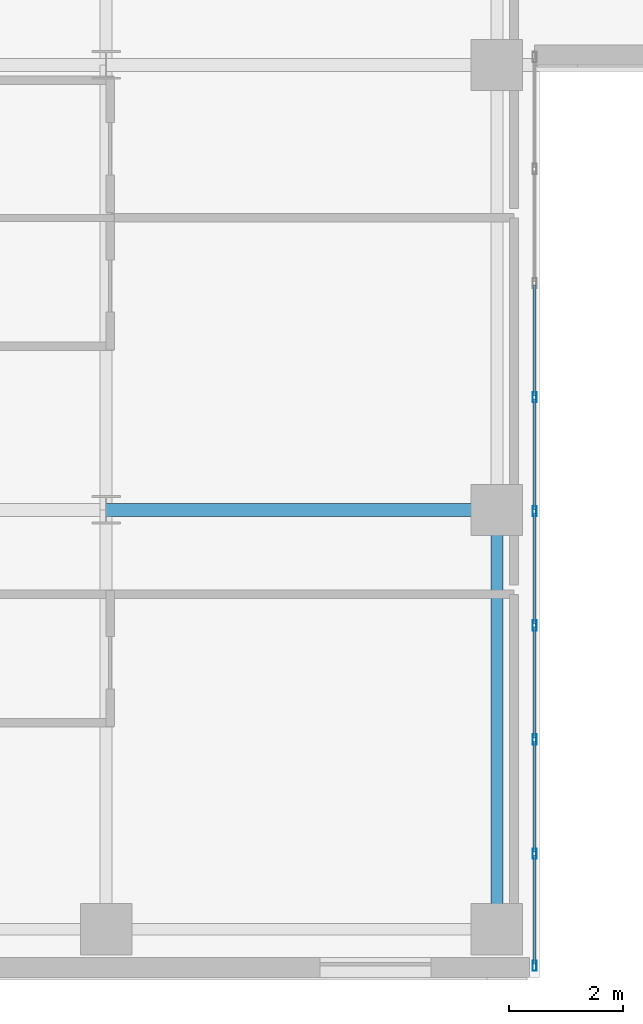
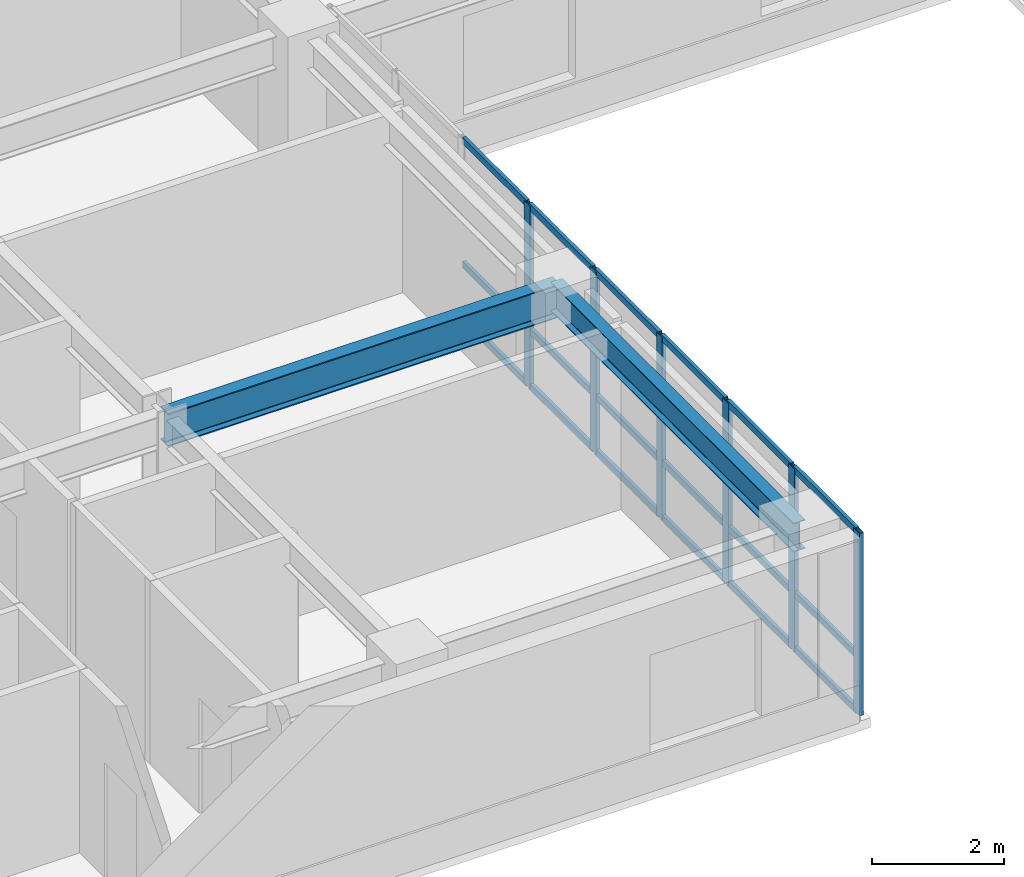
# One storey, part 2 of 25: 24 members, 2 beams, 1 element without a shape of its own.
"""IFC4 building model written with IfcOpenShell, lengths in metres."""

from ifc_helpers import new_model, si_unit, direction, frame, origin, origin_2d, place, context, subcontext, project, spatial, hollow_rectangle, i_section, extrude, source, transform, mapped, material, layer, layer_set, material_profile, profile_set, type_object, type_shapes, element, aggregate, save


model = new_model("IFC4")

# Units and contexts
model_context = context("Model", 3, precision=1e-05, world=origin(), true_north=direction((0.0, 1.0)))
body_context = subcontext(model_context, "Body", "Model", "MODEL_VIEW")
ifc_project = project(units=[si_unit("LENGTHUNIT", "METRE"), si_unit("AREAUNIT", "SQUARE_METRE"), si_unit("VOLUMEUNIT", "CUBIC_METRE"), si_unit("PLANEANGLEUNIT", "RADIAN"), si_unit("MASSUNIT", "GRAM", prefix="KILO")], contexts=[model_context])

# Site, building, storey
site_placement = place(None, origin())
site = spatial("IfcSite", under=ifc_project, at=site_placement, CompositionType="ELEMENT")
building_placement = place(site_placement, origin())
building = spatial("IfcBuilding", under=site, at=building_placement, Name="Tolvann Quenvar Hotel", CompositionType="ELEMENT")
storey_placement = place(building_placement, frame((0.0, 0.0, 132.85009765625)))
storey = spatial("IfcBuildingStorey", under=building, at=storey_placement, Name="L34", CompositionType="ELEMENT", Elevation=132.85009765625)

# Beams
ifc_material_1 = material(Name="Steel Grade 350", Category="steel")
ifc_material_profile_1 = material_profile(ifc_material_1, i_section(OverallWidth=0.22900390625, OverallDepth=0.612060546875, WebThickness=0.011962890625, FlangeThickness=0.01953125, FilletRadius=0.013916015625, at=origin_2d()), Name="610UB125")
ifc_profile_set_1 = profile_set([ifc_material_profile_1], Name="Steel Grade 350")
beam_type_1 = type_object("IfcBeamType", Name="BM_GIRD_610UB125", PredefinedType="BEAM", material=ifc_profile_set_1)
shared_shape_1 = source(origin(), body_context, "Body", "SweptSolid", [
    extrude(i_section(OverallWidth=0.22900390625, OverallDepth=0.612060546875, WebThickness=0.011962890625, FlangeThickness=0.01953125, FilletRadius=0.013916015625, at=origin_2d()), origin(), (0.0, 0.0, 1.0), 6.85009765625),
])
type_shapes(beam_type_1, [shared_shape_1])
beam_1_placement = place(storey_placement, frame((15.199951171875, 8.199951171875, 3.06396484375), z_axis=(1.0, 0.0, 0.0), x_axis=(0.0, 1.0, 0.0)))
element("IfcBeam", 1, at=beam_1_placement, inside=storey, type_object=beam_type_1, Name="BM-L34-EW-3-D3-E3", PredefinedType="BEAM", context=body_context, shape_type="MappedRepresentation", body=[
    mapped(shared_shape_1, transform((0.0, 0.0, 0.0), x_axis=(1.0, 0.0, 0.0), y_axis=(0.0, 1.0, 0.0), z_axis=(0.0, 0.0, 1.0), scale=1.0)),
])
ifc_material_profile_2 = material_profile(ifc_material_1, i_section(OverallWidth=0.208984375, OverallDepth=0.532958984375, WebThickness=0.01025390625, FlangeThickness=0.015625, FilletRadius=0.013916015625, at=origin_2d()), Name="530UB92")
ifc_profile_set_2 = profile_set([ifc_material_profile_2], Name="Steel Grade 350")
beam_type_2 = type_object("IfcBeamType", Name="BM_GIRD_530UB92", PredefinedType="BEAM", material=ifc_profile_set_2)
shared_shape_2 = source(origin(), body_context, "Body", "SweptSolid", [
    extrude(i_section(OverallWidth=0.208984375, OverallDepth=0.532958984375, WebThickness=0.01025390625, FlangeThickness=0.015625, FilletRadius=0.013916015625, at=origin_2d()), origin(), (0.0, 0.0, 1.0), 7.349853515625),
])
type_shapes(beam_type_2, [shared_shape_2])
beam_2_placement = place(storey_placement, frame((22.050048828125, 0.85009765625, 3.103515625), z_axis=(0.0, 1.0, 0.0), x_axis=(-1.0, 0.0, 0.0)))
element("IfcBeam", 2, at=beam_2_placement, inside=storey, type_object=beam_type_2, Name="BM-L34-NS-E2-E3", PredefinedType="BEAM", context=body_context, shape_type="MappedRepresentation", body=[
    mapped(shared_shape_2, transform((0.0, 0.0, 0.0), x_axis=(1.0, 0.0, 0.0), y_axis=(0.0, 1.0, 0.0), z_axis=(0.0, 0.0, 1.0), scale=1.0)),
])

# Curtain wall, members
ifc_material_2 = material(Name="Thermally broken anodised architectural aluminium 6063-T6 and laminated low-E glass", Category="aluminium")
ifc_layer = layer(ifc_material_2, 0.179931640625)
ifc_layer_set = layer_set([ifc_layer], Name="Thermally broken anodised architectural aluminium 6063-T6 and laminated low-E glass")
curtain_wall_type = type_object("IfcCurtainWallType", Name="CW_SYS_SLOT_03", PredefinedType="USERDEFINED", material=ifc_layer_set)
curtain_wall_placement = place(storey_placement, origin())
curtain_wall = element("IfcCurtainWall", 3, at=curtain_wall_placement, inside=storey, type_object=curtain_wall_type, Name="Curtain Wall CW-SLOT-03 (CWR-L34-E05)", ObjectType="UNITISED CURTAIN WALL", PredefinedType="USERDEFINED")
ifc_material_3 = material(Name="Anodised architectural aluminium 6063-T6 framing", Category="aluminium")
ifc_material_profile_3 = material_profile(ifc_material_3, hollow_rectangle(XDim=0.06005859375, YDim=0.1201171875, WallThickness=0.00341796875, at=origin_2d()), Name="120x60x3.5RHS")
ifc_profile_set_3 = profile_set([ifc_material_profile_3], Name="Anodised architectural aluminium 6063-T6 framing")
member_type_1 = type_object("IfcMemberType", Name="CW_TRAN_120x60", PredefinedType="USERDEFINED", material=ifc_profile_set_3)
shared_shape_3 = source(origin(), body_context, "Body", "SweptSolid", [
    extrude(hollow_rectangle(XDim=0.06005859375, YDim=0.1201171875, WallThickness=0.00341796875, at=origin_2d()), origin(), (0.0, 0.0, 1.0), 1.894775390625),
])
member_1_placement = place(storey_placement, frame((22.7099609375, 0.2451171875, 0.02978515625), z_axis=(0.0, 1.0, 0.0), x_axis=(-1.0, 0.0, 0.0)))
member_1 = element("IfcMember", 4, at=member_1_placement, type_object=member_type_1, Name="CW-SLOT-03 transom 1.1", ObjectType="TRANSOM", PredefinedType="USERDEFINED", context=body_context, shape_type="MappedRepresentation", body=[
    mapped(shared_shape_3, transform((0.0, 0.0, 0.0), x_axis=(1.0, 0.0, 0.0), y_axis=(0.0, 1.0, 0.0), z_axis=(0.0, 0.0, 1.0), scale=1.0)),
])
member_2_placement = place(storey_placement, frame((22.7099609375, 0.2451171875, 1.0498046875), z_axis=(0.0, 1.0, 0.0), x_axis=(-1.0, 0.0, 0.0)))
member_2 = element("IfcMember", 5, at=member_2_placement, type_object=member_type_1, Name="CW-SLOT-03 transom 1.2", ObjectType="TRANSOM", PredefinedType="USERDEFINED", context=body_context, shape_type="MappedRepresentation", body=[
    mapped(shared_shape_3, transform((0.0, 0.0, 0.0), x_axis=(1.0, 0.0, 0.0), y_axis=(0.0, 1.0, 0.0), z_axis=(0.0, 0.0, 1.0), scale=1.0)),
])
member_3_placement = place(storey_placement, frame((22.7099609375, 0.2451171875, 3.33984375), z_axis=(0.0, 1.0, 0.0), x_axis=(-1.0, 0.0, 0.0)))
member_3 = element("IfcMember", 6, at=member_3_placement, type_object=member_type_1, Name="CW-SLOT-03 transom 1.3", ObjectType="TRANSOM", PredefinedType="USERDEFINED", context=body_context, shape_type="MappedRepresentation", body=[
    mapped(shared_shape_3, transform((0.0, 0.0, 0.0), x_axis=(1.0, 0.0, 0.0), y_axis=(0.0, 1.0, 0.0), z_axis=(0.0, 0.0, 1.0), scale=1.0)),
])
shared_shape_4 = source(origin(), body_context, "Body", "SweptSolid", [
    extrude(hollow_rectangle(XDim=0.06005859375, YDim=0.1201171875, WallThickness=0.00341796875, at=origin_2d()), origin(), (0.0, 0.0, 1.0), 1.929931640625),
])
type_shapes(member_type_1, [shared_shape_3, shared_shape_4])
member_4_placement = place(storey_placement, frame((22.7099609375, 2.2099609375, 0.02978515625), z_axis=(0.0, 1.0, 0.0), x_axis=(-1.0, 0.0, 0.0)))
member_4 = element("IfcMember", 7, at=member_4_placement, type_object=member_type_1, Name="CW-SLOT-03 transom 2.1", ObjectType="TRANSOM", PredefinedType="USERDEFINED", context=body_context, shape_type="MappedRepresentation", body=[
    mapped(shared_shape_4, transform((0.0, 0.0, 0.0), x_axis=(1.0, 0.0, 0.0), y_axis=(0.0, 1.0, 0.0), z_axis=(0.0, 0.0, 1.0), scale=1.0)),
])
member_5_placement = place(storey_placement, frame((22.7099609375, 2.2099609375, 1.0498046875), z_axis=(0.0, 1.0, 0.0), x_axis=(-1.0, 0.0, 0.0)))
member_5 = element("IfcMember", 8, at=member_5_placement, type_object=member_type_1, Name="CW-SLOT-03 transom 2.2", ObjectType="TRANSOM", PredefinedType="USERDEFINED", context=body_context, shape_type="MappedRepresentation", body=[
    mapped(shared_shape_4, transform((0.0, 0.0, 0.0), x_axis=(1.0, 0.0, 0.0), y_axis=(0.0, 1.0, 0.0), z_axis=(0.0, 0.0, 1.0), scale=1.0)),
])
member_6_placement = place(storey_placement, frame((22.7099609375, 2.2099609375, 3.33984375), z_axis=(0.0, 1.0, 0.0), x_axis=(-1.0, 0.0, 0.0)))
member_6 = element("IfcMember", 9, at=member_6_placement, type_object=member_type_1, Name="CW-SLOT-03 transom 2.3", ObjectType="TRANSOM", PredefinedType="USERDEFINED", context=body_context, shape_type="MappedRepresentation", body=[
    mapped(shared_shape_4, transform((0.0, 0.0, 0.0), x_axis=(1.0, 0.0, 0.0), y_axis=(0.0, 1.0, 0.0), z_axis=(0.0, 0.0, 1.0), scale=1.0)),
])
member_7_placement = place(storey_placement, frame((22.7099609375, 4.2099609375, 0.02978515625), z_axis=(0.0, 1.0, 0.0), x_axis=(-1.0, 0.0, 0.0)))
member_7 = element("IfcMember", 10, at=member_7_placement, type_object=member_type_1, Name="CW-SLOT-03 transom 3.1", ObjectType="TRANSOM", PredefinedType="USERDEFINED", context=body_context, shape_type="MappedRepresentation", body=[
    mapped(shared_shape_4, transform((0.0, 0.0, 0.0), x_axis=(1.0, 0.0, 0.0), y_axis=(0.0, 1.0, 0.0), z_axis=(0.0, 0.0, 1.0), scale=1.0)),
])
member_8_placement = place(storey_placement, frame((22.7099609375, 4.2099609375, 1.0498046875), z_axis=(0.0, 1.0, 0.0), x_axis=(-1.0, 0.0, 0.0)))
member_8 = element("IfcMember", 11, at=member_8_placement, type_object=member_type_1, Name="CW-SLOT-03 transom 3.2", ObjectType="TRANSOM", PredefinedType="USERDEFINED", context=body_context, shape_type="MappedRepresentation", body=[
    mapped(shared_shape_4, transform((0.0, 0.0, 0.0), x_axis=(1.0, 0.0, 0.0), y_axis=(0.0, 1.0, 0.0), z_axis=(0.0, 0.0, 1.0), scale=1.0)),
])
member_9_placement = place(storey_placement, frame((22.7099609375, 4.2099609375, 3.33984375), z_axis=(0.0, 1.0, 0.0), x_axis=(-1.0, 0.0, 0.0)))
member_9 = element("IfcMember", 12, at=member_9_placement, type_object=member_type_1, Name="CW-SLOT-03 transom 3.3", ObjectType="TRANSOM", PredefinedType="USERDEFINED", context=body_context, shape_type="MappedRepresentation", body=[
    mapped(shared_shape_4, transform((0.0, 0.0, 0.0), x_axis=(1.0, 0.0, 0.0), y_axis=(0.0, 1.0, 0.0), z_axis=(0.0, 0.0, 1.0), scale=1.0)),
])
member_10_placement = place(storey_placement, frame((22.7099609375, 6.2099609375, 0.02978515625), z_axis=(0.0, 1.0, 0.0), x_axis=(-1.0, 0.0, 0.0)))
member_10 = element("IfcMember", 13, at=member_10_placement, type_object=member_type_1, Name="CW-SLOT-03 transom 4.1", ObjectType="TRANSOM", PredefinedType="USERDEFINED", context=body_context, shape_type="MappedRepresentation", body=[
    mapped(shared_shape_4, transform((0.0, 0.0, 0.0), x_axis=(1.0, 0.0, 0.0), y_axis=(0.0, 1.0, 0.0), z_axis=(0.0, 0.0, 1.0), scale=1.0)),
])
member_11_placement = place(storey_placement, frame((22.7099609375, 6.2099609375, 1.0498046875), z_axis=(0.0, 1.0, 0.0), x_axis=(-1.0, 0.0, 0.0)))
member_11 = element("IfcMember", 14, at=member_11_placement, type_object=member_type_1, Name="CW-SLOT-03 transom 4.2", ObjectType="TRANSOM", PredefinedType="USERDEFINED", context=body_context, shape_type="MappedRepresentation", body=[
    mapped(shared_shape_4, transform((0.0, 0.0, 0.0), x_axis=(1.0, 0.0, 0.0), y_axis=(0.0, 1.0, 0.0), z_axis=(0.0, 0.0, 1.0), scale=1.0)),
])
member_12_placement = place(storey_placement, frame((22.7099609375, 6.2099609375, 3.33984375), z_axis=(0.0, 1.0, 0.0), x_axis=(-1.0, 0.0, 0.0)))
member_12 = element("IfcMember", 15, at=member_12_placement, type_object=member_type_1, Name="CW-SLOT-03 transom 4.3", ObjectType="TRANSOM", PredefinedType="USERDEFINED", context=body_context, shape_type="MappedRepresentation", body=[
    mapped(shared_shape_4, transform((0.0, 0.0, 0.0), x_axis=(1.0, 0.0, 0.0), y_axis=(0.0, 1.0, 0.0), z_axis=(0.0, 0.0, 1.0), scale=1.0)),
])
member_13_placement = place(storey_placement, frame((22.7099609375, 8.2099609375, 0.02978515625), z_axis=(0.0, 1.0, 0.0), x_axis=(-1.0, 0.0, 0.0)))
member_13 = element("IfcMember", 16, at=member_13_placement, type_object=member_type_1, Name="CW-SLOT-03 transom 5.1", ObjectType="TRANSOM", PredefinedType="USERDEFINED", context=body_context, shape_type="MappedRepresentation", body=[
    mapped(shared_shape_4, transform((0.0, 0.0, 0.0), x_axis=(1.0, 0.0, 0.0), y_axis=(0.0, 1.0, 0.0), z_axis=(0.0, 0.0, 1.0), scale=1.0)),
])
member_14_placement = place(storey_placement, frame((22.7099609375, 8.2099609375, 1.0498046875), z_axis=(0.0, 1.0, 0.0), x_axis=(-1.0, 0.0, 0.0)))
member_14 = element("IfcMember", 17, at=member_14_placement, type_object=member_type_1, Name="CW-SLOT-03 transom 5.2", ObjectType="TRANSOM", PredefinedType="USERDEFINED", context=body_context, shape_type="MappedRepresentation", body=[
    mapped(shared_shape_4, transform((0.0, 0.0, 0.0), x_axis=(1.0, 0.0, 0.0), y_axis=(0.0, 1.0, 0.0), z_axis=(0.0, 0.0, 1.0), scale=1.0)),
])
member_15_placement = place(storey_placement, frame((22.7099609375, 8.2099609375, 3.33984375), z_axis=(0.0, 1.0, 0.0), x_axis=(-1.0, 0.0, 0.0)))
member_15 = element("IfcMember", 18, at=member_15_placement, type_object=member_type_1, Name="CW-SLOT-03 transom 5.3", ObjectType="TRANSOM", PredefinedType="USERDEFINED", context=body_context, shape_type="MappedRepresentation", body=[
    mapped(shared_shape_4, transform((0.0, 0.0, 0.0), x_axis=(1.0, 0.0, 0.0), y_axis=(0.0, 1.0, 0.0), z_axis=(0.0, 0.0, 1.0), scale=1.0)),
])
member_16_placement = place(storey_placement, frame((22.7099609375, 10.2099609375, 0.02978515625), z_axis=(0.0, 1.0, 0.0), x_axis=(-1.0, 0.0, 0.0)))
member_16 = element("IfcMember", 19, at=member_16_placement, type_object=member_type_1, Name="CW-SLOT-03 transom 6.1", ObjectType="TRANSOM", PredefinedType="USERDEFINED", context=body_context, shape_type="MappedRepresentation", body=[
    mapped(shared_shape_4, transform((0.0, 0.0, 0.0), x_axis=(1.0, 0.0, 0.0), y_axis=(0.0, 1.0, 0.0), z_axis=(0.0, 0.0, 1.0), scale=1.0)),
])
member_17_placement = place(storey_placement, frame((22.7099609375, 10.2099609375, 1.0498046875), z_axis=(0.0, 1.0, 0.0), x_axis=(-1.0, 0.0, 0.0)))
member_17 = element("IfcMember", 20, at=member_17_placement, type_object=member_type_1, Name="CW-SLOT-03 transom 6.2", ObjectType="TRANSOM", PredefinedType="USERDEFINED", context=body_context, shape_type="MappedRepresentation", body=[
    mapped(shared_shape_4, transform((0.0, 0.0, 0.0), x_axis=(1.0, 0.0, 0.0), y_axis=(0.0, 1.0, 0.0), z_axis=(0.0, 0.0, 1.0), scale=1.0)),
])
member_18_placement = place(storey_placement, frame((22.7099609375, 10.2099609375, 3.33984375), z_axis=(0.0, 1.0, 0.0), x_axis=(-1.0, 0.0, 0.0)))
member_18 = element("IfcMember", 21, at=member_18_placement, type_object=member_type_1, Name="CW-SLOT-03 transom 6.3", ObjectType="TRANSOM", PredefinedType="USERDEFINED", context=body_context, shape_type="MappedRepresentation", body=[
    mapped(shared_shape_4, transform((0.0, 0.0, 0.0), x_axis=(1.0, 0.0, 0.0), y_axis=(0.0, 1.0, 0.0), z_axis=(0.0, 0.0, 1.0), scale=1.0)),
])
ifc_material_profile_4 = material_profile(ifc_material_3, hollow_rectangle(XDim=0.070068359375, YDim=0.179931640625, WallThickness=0.00390625, at=origin_2d()), Name="180x70x4RHS")
ifc_profile_set_4 = profile_set([ifc_material_profile_4], Name="Anodised architectural aluminium 6063-T6 framing")
member_type_2 = type_object("IfcMemberType", Name="CW_MULL_180x70", PredefinedType="MULLION", material=ifc_profile_set_4)
shared_shape_5 = source(origin(), body_context, "Body", "SweptSolid", [
    extrude(hollow_rectangle(XDim=0.070068359375, YDim=0.179931640625, WallThickness=0.00390625, at=origin_2d()), origin(), (0.0, 0.0, 1.0), 3.369873046875),
])
type_shapes(member_type_2, [shared_shape_5])
member_19_placement = place(storey_placement, frame((22.7099609375, 0.2099609375, 0.0), z_axis=(0.0, 0.0, 1.0), x_axis=(-1.0, 0.0, 0.0)))
member_19 = element("IfcMember", 22, at=member_19_placement, type_object=member_type_2, Name="CW-SLOT-03 mullion 1", PredefinedType="MULLION", context=body_context, shape_type="MappedRepresentation", body=[
    mapped(shared_shape_5, transform((0.0, 0.0, 0.0), x_axis=(1.0, 0.0, 0.0), y_axis=(0.0, 1.0, 0.0), z_axis=(0.0, 0.0, 1.0), scale=1.0)),
])
member_20_placement = place(storey_placement, frame((22.7099609375, 2.175048828125, 0.0), z_axis=(0.0, 0.0, 1.0), x_axis=(-1.0, 0.0, 0.0)))
member_20 = element("IfcMember", 23, at=member_20_placement, type_object=member_type_2, Name="CW-SLOT-03 mullion 2", PredefinedType="MULLION", context=body_context, shape_type="MappedRepresentation", body=[
    mapped(shared_shape_5, transform((0.0, 0.0, 0.0), x_axis=(1.0, 0.0, 0.0), y_axis=(0.0, 1.0, 0.0), z_axis=(0.0, 0.0, 1.0), scale=1.0)),
])
member_21_placement = place(storey_placement, frame((22.7099609375, 4.175048828125, 0.0), z_axis=(0.0, 0.0, 1.0), x_axis=(-1.0, 0.0, 0.0)))
member_21 = element("IfcMember", 24, at=member_21_placement, type_object=member_type_2, Name="CW-SLOT-03 mullion 3", PredefinedType="MULLION", context=body_context, shape_type="MappedRepresentation", body=[
    mapped(shared_shape_5, transform((0.0, 0.0, 0.0), x_axis=(1.0, 0.0, 0.0), y_axis=(0.0, 1.0, 0.0), z_axis=(0.0, 0.0, 1.0), scale=1.0)),
])
member_22_placement = place(storey_placement, frame((22.7099609375, 6.175048828125, 0.0), z_axis=(0.0, 0.0, 1.0), x_axis=(-1.0, 0.0, 0.0)))
member_22 = element("IfcMember", 25, at=member_22_placement, type_object=member_type_2, Name="CW-SLOT-03 mullion 4", PredefinedType="MULLION", context=body_context, shape_type="MappedRepresentation", body=[
    mapped(shared_shape_5, transform((0.0, 0.0, 0.0), x_axis=(1.0, 0.0, 0.0), y_axis=(0.0, 1.0, 0.0), z_axis=(0.0, 0.0, 1.0), scale=1.0)),
])
member_23_placement = place(storey_placement, frame((22.7099609375, 8.175048828125, 0.0), z_axis=(0.0, 0.0, 1.0), x_axis=(-1.0, 0.0, 0.0)))
member_23 = element("IfcMember", 26, at=member_23_placement, type_object=member_type_2, Name="CW-SLOT-03 mullion 5", PredefinedType="MULLION", context=body_context, shape_type="MappedRepresentation", body=[
    mapped(shared_shape_5, transform((0.0, 0.0, 0.0), x_axis=(1.0, 0.0, 0.0), y_axis=(0.0, 1.0, 0.0), z_axis=(0.0, 0.0, 1.0), scale=1.0)),
])
member_24_placement = place(storey_placement, frame((22.7099609375, 10.175048828125, 0.0), z_axis=(0.0, 0.0, 1.0), x_axis=(-1.0, 0.0, 0.0)))
member_24 = element("IfcMember", 27, at=member_24_placement, type_object=member_type_2, Name="CW-SLOT-03 mullion 6", PredefinedType="MULLION", context=body_context, shape_type="MappedRepresentation", body=[
    mapped(shared_shape_5, transform((0.0, 0.0, 0.0), x_axis=(1.0, 0.0, 0.0), y_axis=(0.0, 1.0, 0.0), z_axis=(0.0, 0.0, 1.0), scale=1.0)),
])
aggregate(curtain_wall, [member_19, member_20, member_21, member_22, member_23, member_24, member_1, member_2, member_3, member_4, member_5, member_6, member_7, member_8, member_9, member_10, member_11, member_12, member_13, member_14, member_15, member_16, member_17, member_18])

save(model, "model.ifc")
